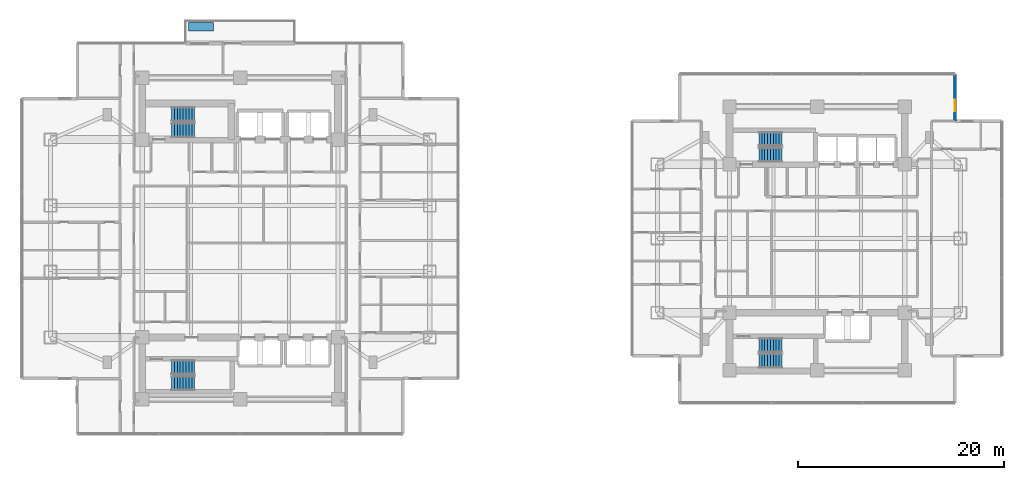
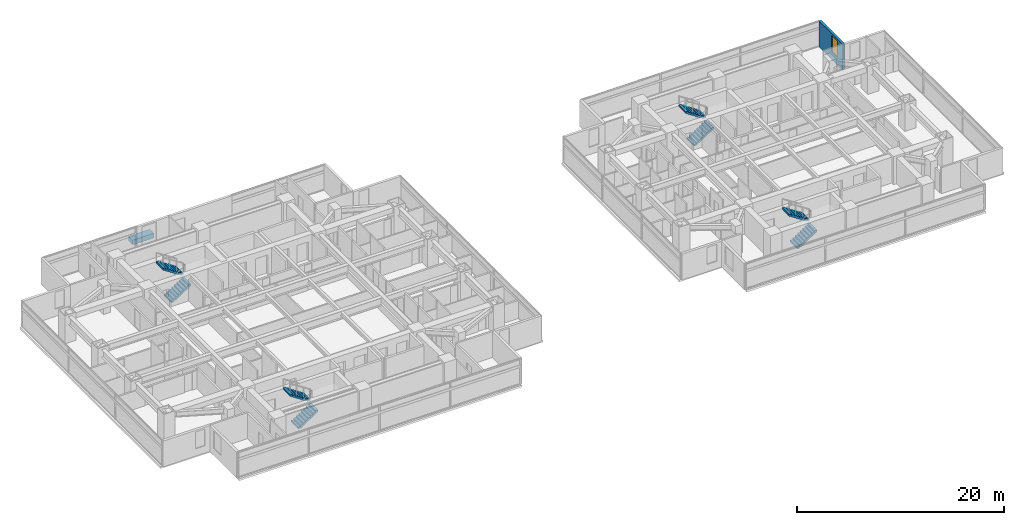
# One storey, part 19 of 25: 8 stair flights, 1 discrete accessory, 1 wall, 1 window, 1 opening, 4 elements without a shape of their own.
"""IFC4 building model written with IfcOpenShell, lengths in metres."""

from ifc_helpers import new_model, si_unit, direction, frame, frame_2d, origin, origin_2d, place, context, subcontext, project, spatial, polyline, rectangle, outline, extrude, material, layer, layer_set, type_object, element, fill, aggregate, save


model = new_model("IFC4")

# Units and contexts
model_context = context("Model", 3, precision=1e-05, world=origin(), true_north=direction((0.0, 1.0)))
body_context = subcontext(model_context, "Body", "Model", "MODEL_VIEW")
ifc_project = project(units=[si_unit("LENGTHUNIT", "METRE"), si_unit("AREAUNIT", "SQUARE_METRE"), si_unit("VOLUMEUNIT", "CUBIC_METRE"), si_unit("PLANEANGLEUNIT", "RADIAN"), si_unit("MASSUNIT", "GRAM", prefix="KILO")], contexts=[model_context])

# Site, building, storey
site_placement = place(None, origin())
site = spatial("IfcSite", under=ifc_project, at=site_placement, CompositionType="ELEMENT")
building_placement = place(site_placement, origin())
building = spatial("IfcBuilding", under=site, at=building_placement, Name="Mirazonda Arch Towers", CompositionType="ELEMENT")
storey_placement = place(building_placement, frame((0.0, 0.0, 58.699951171875)))
storey = spatial("IfcBuildingStorey", under=building, at=storey_placement, Name="L16", CompositionType="ELEMENT", Elevation=58.699951171875)

# Wall, opening, window
ifc_material_1 = material(Name="Precast Concrete C40/50", Category="concrete")
ifc_layer = layer(ifc_material_1, 0.280029296875, Name="WALL-EXT-WALL-280")
ifc_layer_set = layer_set([ifc_layer], Name="Precast Concrete C40/50")
wall_type = type_object("IfcWallType", Name="WALL-EXT-WALL-280", PredefinedType="SOLIDWALL", material=ifc_layer_set)
wall_placement = place(storey_placement, frame((89.8701171875, 39.396484375, 0.0), z_axis=(0.0, 0.0, 1.0), x_axis=(0.0, 1.0, 0.0)))
wall = element("IfcWall", 1, at=wall_placement, inside=storey, type_object=wall_type, Name="L16 T2 Notched NE Corner Wall WL-L16-T2-CNE", PredefinedType="SOLIDWALL", context=body_context, shape_type="SweptSolid", body=[
    extrude(rectangle(XDim=4.546142578125, YDim=0.280029296875, at=frame_2d((2.27294921875, 0.0))), origin(), (0.0, 0.0, 1.0), 3.0400390625),
])
opening_placement = place(wall_placement, frame((0.949951171875, 0.0, 0.85009765625)))
opening = element("IfcOpeningElement", 2, at=opening_placement, cuts=wall, Name="Opening WN-108", PredefinedType="OPENING", context=body_context, shape_type="SweptSolid", body=[
    extrude(rectangle(XDim=1.10009765625, YDim=2.0, at=frame_2d((0.550048828125, 1.0))), frame((0.0, 0.14990234375, 0.0), z_axis=(0.0, -1.0, 0.0), x_axis=(1.0, 0.0, 0.0)), (0.0, 0.0, 1.0), 0.300048828125),
])
ifc_material_2 = material(Name="Insulated Low-E Solar Glass", Category="glass")
window_type = type_object("IfcWindowType", Name="WIN-NOTCH-1100x2000", PartitioningType="SINGLE_PANEL", PredefinedType="WINDOW", material=ifc_material_2)
window_placement = place(opening_placement, origin())
window = element("IfcWindow", 3, at=window_placement, inside=storey, type_object=window_type, Name="L16 Punched Facade Window WN-L16-T2-CNE", OverallHeight=2.0, OverallWidth=1.10009765625, PartitioningType="SINGLE_PANEL", PredefinedType="WINDOW", context=body_context, shape_type="SweptSolid", body=[
    extrude(rectangle(XDim=1.10009765625, YDim=2.0, at=frame_2d((0.550048828125, 1.0))), frame((0.0, 0.030029296875, 0.0), z_axis=(0.0, -1.0, 0.0), x_axis=(1.0, 0.0, 0.0)), (0.0, 0.0, 1.0), 0.06005859375),
])
fill(opening, window)

# Stair, stair flights
ifc_material_3 = material(Name="Concrete C40/50", Category="concrete")
stair_type = type_object("IfcStairType", Name="STAIR-CORE-1400", PredefinedType="HALF_TURN_STAIR", material=ifc_material_3)
stair_1_placement = place(storey_placement, origin())
stair_1 = element("IfcStair", 4, at=stair_1_placement, inside=storey, type_object=stair_type, Name="L16 Protected Exit Stair ST-T1N", PredefinedType="HALF_TURN_STAIR")
stair_flight_type = type_object("IfcStairFlightType", Name="FLIGHT-1400", PredefinedType="STRAIGHT", material=ifc_material_3)
stair_flight_1_placement = place(storey_placement, frame((13.85009765625, 38.52001953125, 0.0), z_axis=(0.0, 0.0, 1.0), x_axis=(1.0, 0.0, 0.0)))
stair_flight_1 = element("IfcStairFlight", 5, at=stair_flight_1_placement, type_object=stair_flight_type, Name="ST-T1N flight 1", NumberOfRisers=9, NumberOfTreads=8, PredefinedType="STRAIGHT", RiserHeight=0.183333333, TreadLength=0.28, context=body_context, shape_type="SweptSolid", body=[
    extrude(outline(polyline([(0.0, 0.0), (0.0, 0.183349609375), (0.280029296875, 0.183349609375), (0.280029296875, 0.36669921875), (0.56005859375, 0.36669921875), (0.56005859375, 0.550048828125), (0.840087890625, 0.550048828125), (0.840087890625, 0.7333984375), (1.1201171875, 0.7333984375), (1.1201171875, 0.916748046875), (1.39990234375, 0.916748046875), (1.39990234375, 1.10009765625), (1.679931640625, 1.10009765625), (1.679931640625, 1.283447265625), (1.9599609375, 1.283447265625), (1.9599609375, 1.466552734375), (2.239990234375, 1.466552734375), (2.239990234375, 1.64990234375), (2.239990234375, 1.275634765625), (0.2919921875, 0.0), (0.0, 0.0)])), frame((0.0, 0.699951171875, 0.0), z_axis=(0.0, -1.0, 0.0), x_axis=(1.0, 0.0, 0.0)), (0.0, 0.0, 1.0), 1.39990234375),
])
stair_flight_2_placement = place(storey_placement, frame((16.090087890625, 40.06005859375, 1.650146484375), z_axis=(0.0, 0.0, 1.0), x_axis=(-1.0, 0.0, 0.0)))
stair_flight_2 = element("IfcStairFlight", 6, at=stair_flight_2_placement, type_object=stair_flight_type, Name="ST-T1N flight 2", NumberOfRisers=9, NumberOfTreads=8, PredefinedType="STRAIGHT", RiserHeight=0.183333333, TreadLength=0.28, context=body_context, shape_type="SweptSolid", body=[
    extrude(outline(polyline([(0.0, 0.0), (0.0, 0.183349609375), (0.280029296875, 0.183349609375), (0.280029296875, 0.36669921875), (0.56005859375, 0.36669921875), (0.56005859375, 0.550048828125), (0.840087890625, 0.550048828125), (0.840087890625, 0.7333984375), (1.1201171875, 0.7333984375), (1.1201171875, 0.916748046875), (1.39990234375, 0.916748046875), (1.39990234375, 1.10009765625), (1.679931640625, 1.10009765625), (1.679931640625, 1.283447265625), (1.9599609375, 1.283447265625), (1.9599609375, 1.466552734375), (2.239990234375, 1.466552734375), (2.239990234375, 1.64990234375), (2.239990234375, 1.275634765625), (0.2919921875, 0.0), (0.0, 0.0)])), frame((0.0, 0.699951171875, 0.0), z_axis=(0.0, -1.0, 0.0), x_axis=(1.0, 0.0, 0.0)), (0.0, 0.0, 1.0), 1.39990234375),
])
aggregate(stair_1, [stair_flight_1, stair_flight_2])

stair_2_placement = place(storey_placement, origin())
stair_2 = element("IfcStair", 7, at=stair_2_placement, inside=storey, type_object=stair_type, Name="L16 Protected Exit Stair ST-T1S", PredefinedType="HALF_TURN_STAIR")
stair_flight_3_placement = place(storey_placement, frame((13.85009765625, 13.949951171875, 0.0), z_axis=(0.0, 0.0, 1.0), x_axis=(1.0, 0.0, 0.0)))
stair_flight_3 = element("IfcStairFlight", 8, at=stair_flight_3_placement, type_object=stair_flight_type, Name="ST-T1S flight 1", NumberOfRisers=9, NumberOfTreads=8, PredefinedType="STRAIGHT", RiserHeight=0.183333333, TreadLength=0.28, context=body_context, shape_type="SweptSolid", body=[
    extrude(outline(polyline([(0.0, 0.0), (0.0, 0.183349609375), (0.280029296875, 0.183349609375), (0.280029296875, 0.36669921875), (0.56005859375, 0.36669921875), (0.56005859375, 0.550048828125), (0.840087890625, 0.550048828125), (0.840087890625, 0.7333984375), (1.1201171875, 0.7333984375), (1.1201171875, 0.916748046875), (1.39990234375, 0.916748046875), (1.39990234375, 1.10009765625), (1.679931640625, 1.10009765625), (1.679931640625, 1.283447265625), (1.9599609375, 1.283447265625), (1.9599609375, 1.466552734375), (2.239990234375, 1.466552734375), (2.239990234375, 1.64990234375), (2.239990234375, 1.275634765625), (0.2919921875, 0.0), (0.0, 0.0)])), frame((0.0, 0.699951171875, 0.0), z_axis=(0.0, -1.0, 0.0), x_axis=(1.0, 0.0, 0.0)), (0.0, 0.0, 1.0), 1.39990234375),
])
stair_flight_4_placement = place(storey_placement, frame((16.090087890625, 15.489990234375, 1.650146484375), z_axis=(0.0, 0.0, 1.0), x_axis=(-1.0, 0.0, 0.0)))
stair_flight_4 = element("IfcStairFlight", 9, at=stair_flight_4_placement, type_object=stair_flight_type, Name="ST-T1S flight 2", NumberOfRisers=9, NumberOfTreads=8, PredefinedType="STRAIGHT", RiserHeight=0.183333333, TreadLength=0.28, context=body_context, shape_type="SweptSolid", body=[
    extrude(outline(polyline([(0.0, 0.0), (0.0, 0.183349609375), (0.280029296875, 0.183349609375), (0.280029296875, 0.36669921875), (0.56005859375, 0.36669921875), (0.56005859375, 0.550048828125), (0.840087890625, 0.550048828125), (0.840087890625, 0.7333984375), (1.1201171875, 0.7333984375), (1.1201171875, 0.916748046875), (1.39990234375, 0.916748046875), (1.39990234375, 1.10009765625), (1.679931640625, 1.10009765625), (1.679931640625, 1.283447265625), (1.9599609375, 1.283447265625), (1.9599609375, 1.466552734375), (2.239990234375, 1.466552734375), (2.239990234375, 1.64990234375), (2.239990234375, 1.275634765625), (0.2919921875, 0.0), (0.0, 0.0)])), frame((0.0, 0.699951171875, 0.0), z_axis=(0.0, -1.0, 0.0), x_axis=(1.0, 0.0, 0.0)), (0.0, 0.0, 1.0), 1.39990234375),
])
aggregate(stair_2, [stair_flight_3, stair_flight_4])

stair_3_placement = place(storey_placement, origin())
stair_3 = element("IfcStair", 10, at=stair_3_placement, inside=storey, type_object=stair_type, Name="L16 Protected Exit Stair ST-T2N", PredefinedType="HALF_TURN_STAIR")
stair_flight_5_placement = place(storey_placement, frame((70.85009765625, 36.1201171875, 0.0), z_axis=(0.0, 0.0, 1.0), x_axis=(1.0, 0.0, 0.0)))
stair_flight_5 = element("IfcStairFlight", 11, at=stair_flight_5_placement, type_object=stair_flight_type, Name="ST-T2N flight 1", NumberOfRisers=9, NumberOfTreads=8, PredefinedType="STRAIGHT", RiserHeight=0.183333333, TreadLength=0.28, context=body_context, shape_type="SweptSolid", body=[
    extrude(outline(polyline([(0.0, 0.0), (0.0, 0.183349609375), (0.280029296875, 0.183349609375), (0.280029296875, 0.36669921875), (0.56005859375, 0.36669921875), (0.56005859375, 0.550048828125), (0.840087890625, 0.550048828125), (0.840087890625, 0.7333984375), (1.1201171875, 0.7333984375), (1.1201171875, 0.916748046875), (1.39990234375, 0.916748046875), (1.39990234375, 1.10009765625), (1.679931640625, 1.10009765625), (1.679931640625, 1.283447265625), (1.9599609375, 1.283447265625), (1.9599609375, 1.466552734375), (2.239990234375, 1.466552734375), (2.239990234375, 1.64990234375), (2.239990234375, 1.275634765625), (0.2919921875, 0.0), (0.0, 0.0)])), frame((0.0, 0.699951171875, 0.0), z_axis=(0.0, -1.0, 0.0), x_axis=(1.0, 0.0, 0.0)), (0.0, 0.0, 1.0), 1.39990234375),
])
stair_flight_6_placement = place(storey_placement, frame((73.090087890625, 37.659912109375, 1.650146484375), z_axis=(0.0, 0.0, 1.0), x_axis=(-1.0, 0.0, 0.0)))
stair_flight_6 = element("IfcStairFlight", 12, at=stair_flight_6_placement, type_object=stair_flight_type, Name="ST-T2N flight 2", NumberOfRisers=9, NumberOfTreads=8, PredefinedType="STRAIGHT", RiserHeight=0.183333333, TreadLength=0.28, context=body_context, shape_type="SweptSolid", body=[
    extrude(outline(polyline([(0.0, 0.0), (0.0, 0.183349609375), (0.280029296875, 0.183349609375), (0.280029296875, 0.36669921875), (0.56005859375, 0.36669921875), (0.56005859375, 0.550048828125), (0.840087890625, 0.550048828125), (0.840087890625, 0.7333984375), (1.1201171875, 0.7333984375), (1.1201171875, 0.916748046875), (1.39990234375, 0.916748046875), (1.39990234375, 1.10009765625), (1.679931640625, 1.10009765625), (1.679931640625, 1.283447265625), (1.9599609375, 1.283447265625), (1.9599609375, 1.466552734375), (2.239990234375, 1.466552734375), (2.239990234375, 1.64990234375), (2.239990234375, 1.275634765625), (0.2919921875, 0.0), (0.0, 0.0)])), frame((0.0, 0.699951171875, 0.0), z_axis=(0.0, -1.0, 0.0), x_axis=(1.0, 0.0, 0.0)), (0.0, 0.0, 1.0), 1.39990234375),
])
aggregate(stair_3, [stair_flight_5, stair_flight_6])

stair_4_placement = place(storey_placement, origin())
stair_4 = element("IfcStair", 13, at=stair_4_placement, inside=storey, type_object=stair_type, Name="L16 Protected Exit Stair ST-T2S", PredefinedType="HALF_TURN_STAIR")
stair_flight_7_placement = place(storey_placement, frame((70.85009765625, 16.1201171875, 0.0), z_axis=(0.0, 0.0, 1.0), x_axis=(1.0, 0.0, 0.0)))
stair_flight_7 = element("IfcStairFlight", 14, at=stair_flight_7_placement, type_object=stair_flight_type, Name="ST-T2S flight 1", NumberOfRisers=9, NumberOfTreads=8, PredefinedType="STRAIGHT", RiserHeight=0.183333333, TreadLength=0.28, context=body_context, shape_type="SweptSolid", body=[
    extrude(outline(polyline([(0.0, 0.0), (0.0, 0.183349609375), (0.280029296875, 0.183349609375), (0.280029296875, 0.36669921875), (0.56005859375, 0.36669921875), (0.56005859375, 0.550048828125), (0.840087890625, 0.550048828125), (0.840087890625, 0.7333984375), (1.1201171875, 0.7333984375), (1.1201171875, 0.916748046875), (1.39990234375, 0.916748046875), (1.39990234375, 1.10009765625), (1.679931640625, 1.10009765625), (1.679931640625, 1.283447265625), (1.9599609375, 1.283447265625), (1.9599609375, 1.466552734375), (2.239990234375, 1.466552734375), (2.239990234375, 1.64990234375), (2.239990234375, 1.275634765625), (0.2919921875, 0.0), (0.0, 0.0)])), frame((0.0, 0.699951171875, 0.0), z_axis=(0.0, -1.0, 0.0), x_axis=(1.0, 0.0, 0.0)), (0.0, 0.0, 1.0), 1.39990234375),
])
stair_flight_8_placement = place(storey_placement, frame((73.090087890625, 17.659912109375, 1.650146484375), z_axis=(0.0, 0.0, 1.0), x_axis=(-1.0, 0.0, 0.0)))
stair_flight_8 = element("IfcStairFlight", 15, at=stair_flight_8_placement, type_object=stair_flight_type, Name="ST-T2S flight 2", NumberOfRisers=9, NumberOfTreads=8, PredefinedType="STRAIGHT", RiserHeight=0.183333333, TreadLength=0.28, context=body_context, shape_type="SweptSolid", body=[
    extrude(outline(polyline([(0.0, 0.0), (0.0, 0.183349609375), (0.280029296875, 0.183349609375), (0.280029296875, 0.36669921875), (0.56005859375, 0.36669921875), (0.56005859375, 0.550048828125), (0.840087890625, 0.550048828125), (0.840087890625, 0.7333984375), (1.1201171875, 0.7333984375), (1.1201171875, 0.916748046875), (1.39990234375, 0.916748046875), (1.39990234375, 1.10009765625), (1.679931640625, 1.10009765625), (1.679931640625, 1.283447265625), (1.9599609375, 1.283447265625), (1.9599609375, 1.466552734375), (2.239990234375, 1.466552734375), (2.239990234375, 1.64990234375), (2.239990234375, 1.275634765625), (0.2919921875, 0.0), (0.0, 0.0)])), frame((0.0, 0.699951171875, 0.0), z_axis=(0.0, -1.0, 0.0), x_axis=(1.0, 0.0, 0.0)), (0.0, 0.0, 1.0), 1.39990234375),
])
aggregate(stair_4, [stair_flight_7, stair_flight_8])

# Discrete accessory
ifc_material_4 = material(Name="Kiln-Fired Architectural Terracotta", Category="masonry")
discrete_accessory_type = type_object("IfcDiscreteAccessoryType", Name="PLANTER-TERRA", PredefinedType="USERDEFINED", material=ifc_material_4)
discrete_accessory_placement = place(storey_placement, frame((16.699951171875, 48.555908203125, 0.0), z_axis=(0.0, 0.0, 1.0), x_axis=(1.0, 0.0, 0.0)))
element("IfcDiscreteAccessory", 16, at=discrete_accessory_placement, inside=storey, type_object=discrete_accessory_type, Name="L16 T1 Sky-Terrace Planter", ObjectType="PLANTER", PredefinedType="USERDEFINED", context=body_context, shape_type="SweptSolid", body=[
    extrude(rectangle(XDim=2.39990234375, YDim=0.800048828125, at=origin_2d()), origin(), (0.0, 0.0, 1.0), 0.550048828125),
])

save(model, "model.ifc")
